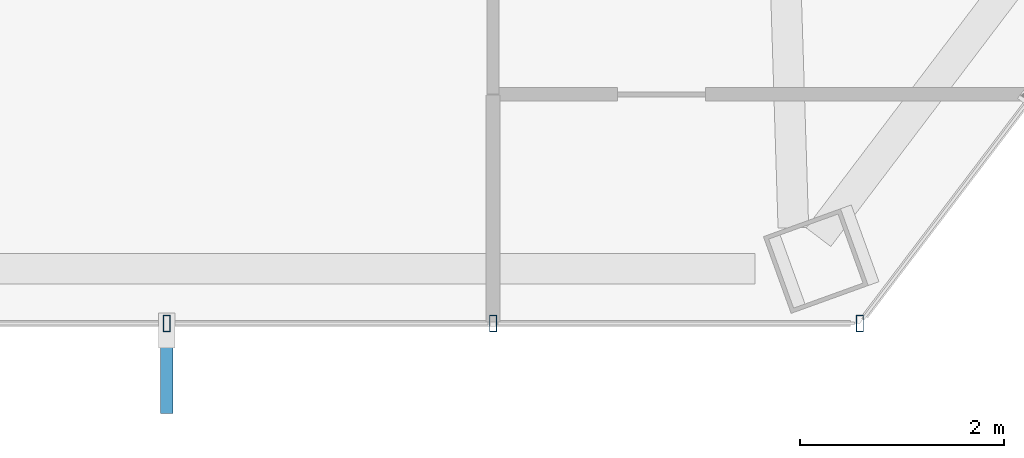
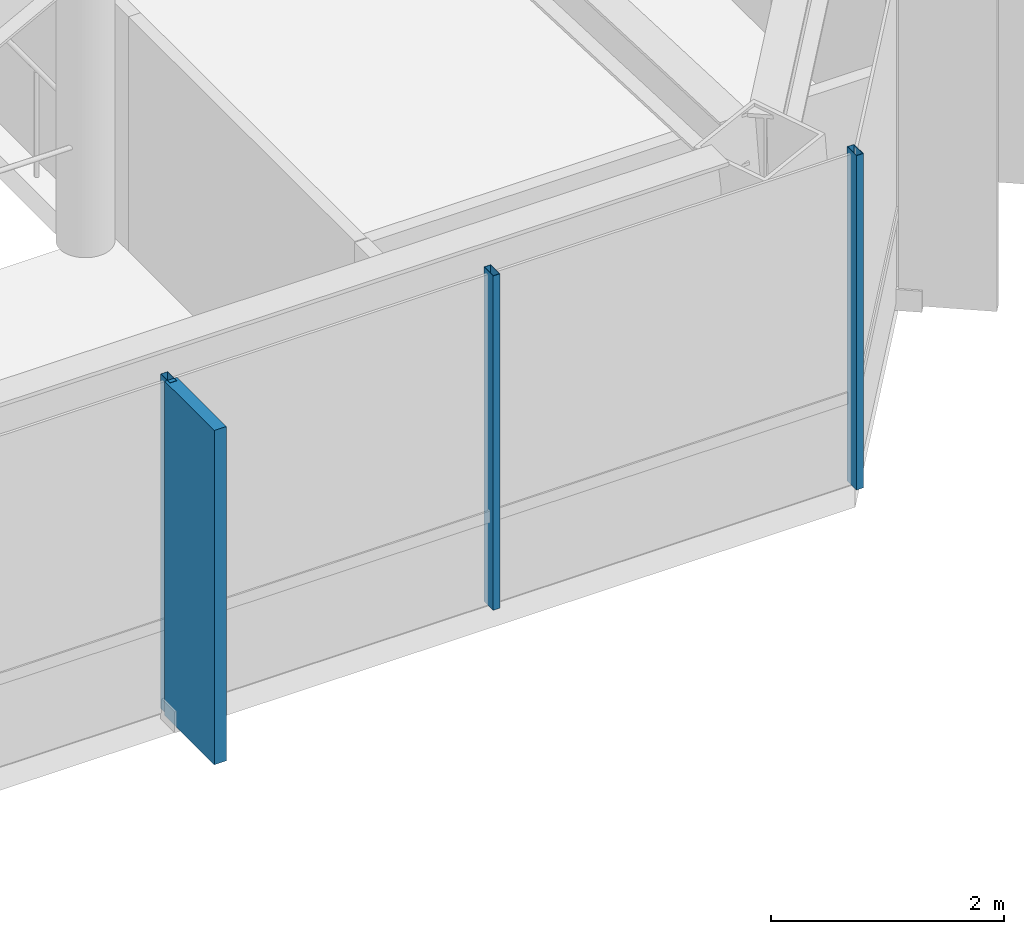
# One storey, part 8 of 29: 4 members, 1 element without a shape of its own.
"""IFC4 building model written with IfcOpenShell, lengths in metres."""

from ifc_helpers import new_model, si_unit, direction, frame, origin, origin_2d, place, context, subcontext, project, spatial, rectangle, hollow_rectangle, extrude, material, layer, layer_set, material_profile, profile_set, type_object, element, aggregate, save


model = new_model("IFC4")

# Units and contexts
model_context = context("Model", 3, precision=1e-05, world=origin(), true_north=direction((0.0, 1.0)))
body_context = subcontext(model_context, "Body", "Model", "MODEL_VIEW")
ifc_project = project(units=[si_unit("LENGTHUNIT", "METRE"), si_unit("AREAUNIT", "SQUARE_METRE"), si_unit("VOLUMEUNIT", "CUBIC_METRE"), si_unit("PLANEANGLEUNIT", "RADIAN"), si_unit("MASSUNIT", "GRAM", prefix="KILO")], contexts=[model_context])

# Site, building, storey
site_placement = place(None, origin())
site = spatial("IfcSite", under=ifc_project, at=site_placement, CompositionType="ELEMENT")
building_placement = place(site_placement, origin())
building = spatial("IfcBuilding", under=site, at=building_placement, Name="Zarrinselat Tower", CompositionType="ELEMENT")
storey_placement = place(building_placement, frame((0.0, 0.0, 142.1201171875)))
storey = spatial("IfcBuildingStorey", under=building, at=storey_placement, Name="L34", CompositionType="ELEMENT", Elevation=142.1201171875)

# Curtain wall, members
ifc_material_1 = material(Name="Extruded Aluminium Alloy EN AW-6063 T6", Category="aluminium")
ifc_layer = layer(ifc_material_1, 0.175048828125)
ifc_layer_set = layer_set([ifc_layer], Name="Extruded Aluminium Alloy EN AW-6063 T6")
curtain_wall_type = type_object("IfcCurtainWallType", Name="CWS-HTL", PredefinedType="NOTDEFINED", material=ifc_layer_set)
curtain_wall_placement = place(storey_placement, origin())
curtain_wall = element("IfcCurtainWall", 1, at=curtain_wall_placement, inside=storey, type_object=curtain_wall_type, Name="L34 Unitised Curtain Wall CW-L34-E04", PredefinedType="NOTDEFINED")
ifc_material_2 = material(Name="Extruded Aluminium Alloy EN AW-6063 T6", Category="aluminium")
ifc_material_profile_1 = material_profile(ifc_material_2, hollow_rectangle(XDim=0.070068359375, YDim=0.159912109375, WallThickness=0.00390625, at=origin_2d()), Name="RHS 160x70x4")
ifc_profile_set_1 = profile_set([ifc_material_profile_1], Name="Extruded Aluminium Alloy EN AW-6063 T6")
member_type_1 = type_object("IfcMemberType", Name="MEM-CW-MUL2", PredefinedType="MULLION", material=ifc_profile_set_1)
member_1_placement = place(storey_placement, frame((40.099365234375, 17.94580078125, 0.0), z_axis=(0.0, 0.0, 1.0), x_axis=(1.0, 0.0, 0.0)))
member_1 = element("IfcMember", 2, at=member_1_placement, type_object=member_type_1, Name="CW-L34-E04 Mullion 3", PredefinedType="MULLION", context=body_context, shape_type="SweptSolid", body=[
    extrude(hollow_rectangle(XDim=0.070068359375, YDim=0.159912109375, WallThickness=0.00390625, at=origin_2d()), origin(), (0.0, 0.0, 1.0), 3.5),
])
member_2_placement = place(storey_placement, frame((43.300048828125, 17.94580078125, 0.0), z_axis=(0.0, 0.0, 1.0), x_axis=(1.0, 0.0, 0.0)))
member_2 = element("IfcMember", 3, at=member_2_placement, type_object=member_type_1, Name="CW-L34-E04 Mullion 4", PredefinedType="MULLION", context=body_context, shape_type="SweptSolid", body=[
    extrude(hollow_rectangle(XDim=0.070068359375, YDim=0.159912109375, WallThickness=0.00390625, at=origin_2d()), origin(), (0.0, 0.0, 1.0), 3.5),
])
member_3_placement = place(storey_placement, frame((46.89697265625, 17.94580078125, 0.0), z_axis=(0.0, 0.0, 1.0), x_axis=(1.0, 0.0, 0.0)))
member_3 = element("IfcMember", 4, at=member_3_placement, type_object=member_type_1, Name="CW-L34-E04 Mullion 5", PredefinedType="MULLION", context=body_context, shape_type="SweptSolid", body=[
    extrude(hollow_rectangle(XDim=0.070068359375, YDim=0.159912109375, WallThickness=0.00390625, at=origin_2d()), origin(), (0.0, 0.0, 1.0), 3.5),
])
ifc_material_3 = material(Name="Honed Cream Travertine Stone", Category="masonry")
ifc_material_profile_2 = material_profile(ifc_material_3, rectangle(XDim=0.1201171875, YDim=0.85009765625, at=origin_2d()), Name="FIN 850x120")
ifc_profile_set_2 = profile_set([ifc_material_profile_2], Name="Honed Cream Travertine Stone")
member_type_2 = type_object("IfcMemberType", Name="MEM-STONE-FIN", PredefinedType="USERDEFINED", material=ifc_profile_set_2)
member_4_placement = place(storey_placement, frame((40.099365234375, 17.48583984375, 0.0), z_axis=(0.0, 0.0, 1.0), x_axis=(-1.0, 0.0, 0.0)))
member_4 = element("IfcMember", 5, at=member_4_placement, type_object=member_type_2, Name="L34 Stone Shading Fin CW-L34-E04-03", ObjectType="FIN", PredefinedType="USERDEFINED", context=body_context, shape_type="SweptSolid", body=[
    extrude(rectangle(XDim=0.1201171875, YDim=0.85009765625, at=origin_2d()), origin(), (0.0, 0.0, 1.0), 3.5),
])
aggregate(curtain_wall, [member_1, member_4, member_2, member_3])

save(model, "model.ifc")
